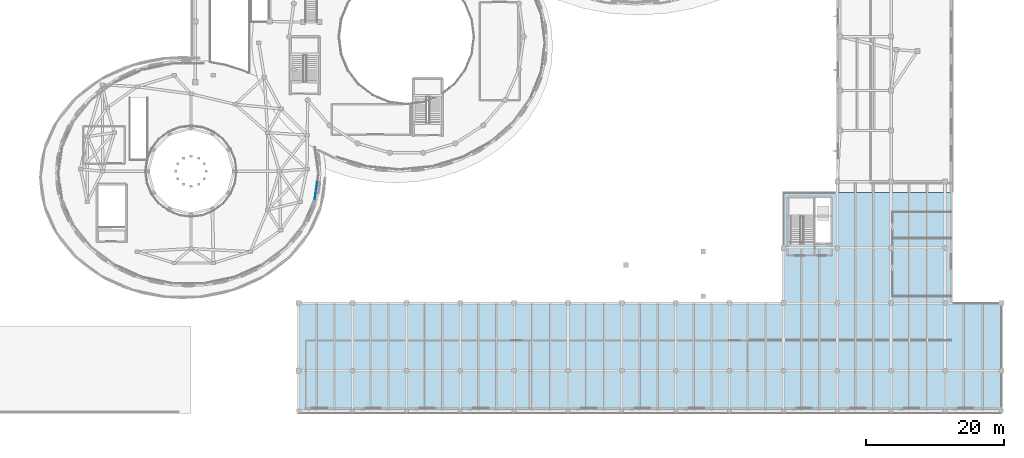
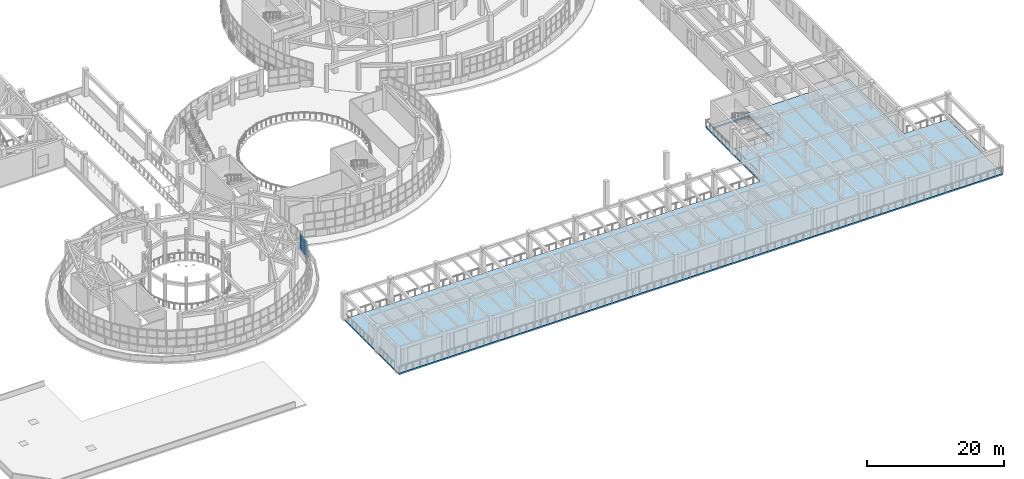
# One storey, part 58 of 98: 4 plates, 1 slab, 1 element without a shape of its own.
"""IFC4 building model written with IfcOpenShell, lengths in metres."""

from ifc_helpers import new_model, si_unit, direction, frame, origin, origin_2d, place, context, subcontext, project, spatial, polyline, rectangle, outline, extrude, material, layer, layer_set, type_object, element, aggregate, save


model = new_model("IFC4")

# Units and contexts
model_context = context("Model", 3, precision=1e-05, world=origin(), true_north=direction((0.0, 1.0)))
body_context = subcontext(model_context, "Body", "Model", "MODEL_VIEW")
ifc_project = project(units=[si_unit("LENGTHUNIT", "METRE"), si_unit("AREAUNIT", "SQUARE_METRE"), si_unit("VOLUMEUNIT", "CUBIC_METRE"), si_unit("PLANEANGLEUNIT", "RADIAN"), si_unit("MASSUNIT", "GRAM", prefix="KILO")], contexts=[model_context])

# Site, building, storey
site_placement = place(None, origin())
site = spatial("IfcSite", under=ifc_project, at=site_placement, CompositionType="ELEMENT")
building_placement = place(site_placement, origin())
building = spatial("IfcBuilding", under=site, at=building_placement, Name="Pelvatis Terrace Science Centre", CompositionType="ELEMENT")
storey_placement = place(building_placement, frame((0.0, 0.0, 5.39990234375)))
storey = spatial("IfcBuildingStorey", under=building, at=storey_placement, Name="L01", CompositionType="ELEMENT", Elevation=5.39990234375)

# Curtain wall, plates
ifc_material_1 = material(Name="Bronze-anodised aluminium and laminated glass", Category="aluminium")
ifc_layer_1 = layer(ifc_material_1, 0.179931640625)
ifc_layer_set_1 = layer_set([ifc_layer_1], Name="Bronze-anodised aluminium and laminated glass")
curtain_wall_type = type_object("IfcCurtainWallType", Name="CW-RIBBON-A", PredefinedType="NOTDEFINED", material=ifc_layer_set_1)
curtain_wall_placement = place(storey_placement, origin())
curtain_wall = element("IfcCurtainWall", 1, at=curtain_wall_placement, inside=storey, type_object=curtain_wall_type, Name="Ribbon curtain wall CW-042 (L01)", PredefinedType="NOTDEFINED")
ifc_material_2 = material(Name="Low-e laminated solar-control double glazing", Category="glass")
ifc_layer_2 = layer(ifc_material_2, 0.031982421875)
ifc_layer_set_2 = layer_set([ifc_layer_2], Name="Low-e laminated solar-control double glazing")
plate_type = type_object("IfcPlateType", Name="CWP-IGU-32", PredefinedType="CURTAIN_PANEL", material=ifc_layer_set_2)
plate_1_placement = place(storey_placement, frame((64.795654296875, 31.614013671875, 1.080078125), z_axis=(0.0, 0.0, 1.0), x_axis=(0.141165156196, 0.989986059839, 0.0)))
plate_1 = element("IfcPlate", 2, at=plate_1_placement, type_object=plate_type, Name="CW-042 panel 1.1", PredefinedType="CURTAIN_PANEL", context=body_context, shape_type="SweptSolid", body=[
    extrude(rectangle(XDim=1.203369140625, YDim=0.031982421875, at=origin_2d()), origin(), (0.0, 0.0, 1.0), 1.330078125),
])
plate_2_placement = place(storey_placement, frame((64.795654296875, 31.614013671875, 2.469970703125), z_axis=(0.0, 0.0, 1.0), x_axis=(0.141165156196, 0.989986059839, 0.0)))
plate_2 = element("IfcPlate", 3, at=plate_2_placement, type_object=plate_type, Name="CW-042 panel 1.2", PredefinedType="CURTAIN_PANEL", context=body_context, shape_type="SweptSolid", body=[
    extrude(rectangle(XDim=1.203369140625, YDim=0.031982421875, at=origin_2d()), origin(), (0.0, 0.0, 1.0), 1.330078125),
])
plate_3_placement = place(storey_placement, frame((64.97607421875, 32.87939453125, 1.080078125), z_axis=(0.0, 0.0, 1.0), x_axis=(0.141165156196, 0.989986059839, 0.0)))
plate_3 = element("IfcPlate", 4, at=plate_3_placement, type_object=plate_type, Name="CW-042 panel 2.1", PredefinedType="CURTAIN_PANEL", context=body_context, shape_type="SweptSolid", body=[
    extrude(rectangle(XDim=1.2333984375, YDim=0.031982421875, at=origin_2d()), origin(), (0.0, 0.0, 1.0), 1.330078125),
])
plate_4_placement = place(storey_placement, frame((64.97607421875, 32.87939453125, 2.469970703125), z_axis=(0.0, 0.0, 1.0), x_axis=(0.141165156196, 0.989986059839, 0.0)))
plate_4 = element("IfcPlate", 5, at=plate_4_placement, type_object=plate_type, Name="CW-042 panel 2.2", PredefinedType="CURTAIN_PANEL", context=body_context, shape_type="SweptSolid", body=[
    extrude(rectangle(XDim=1.2333984375, YDim=0.031982421875, at=origin_2d()), origin(), (0.0, 0.0, 1.0), 1.330078125),
])
aggregate(curtain_wall, [plate_1, plate_2, plate_3, plate_4])

# Slab
ifc_material_3 = material(Name="Concrete C35/45", Category="concrete")
ifc_layer_3 = layer(ifc_material_3, 0.260009765625)
ifc_layer_set_3 = layer_set([ifc_layer_3], Name="Concrete C35/45")
slab_type = type_object("IfcSlabType", Name="SLB-FLR-260", PredefinedType="FLOOR", material=ifc_layer_set_3)
slab_placement = place(storey_placement, frame((0.0, 0.0, -0.260009765625)))
element("IfcSlab", 6, at=slab_placement, inside=storey, type_object=slab_type, Name="L01 Wet biology and chemistry laboratories slab", PredefinedType="FLOOR", context=body_context, shape_type="SweptSolid", body=[
    extrude(outline(polyline([(132.60009765625, 16.0), (132.60009765625, 32.0), (156.800048828125, 32.0), (156.800048828125, 16.0), (164.199951171875, 16.0), (164.199951171875, 0.0), (62.39990234375, 0.0), (62.39990234375, 16.0), (132.60009765625, 16.0)]), holes=[polyline([(135.280029296875, 25.02001953125), (135.280029296875, 24.52001953125), (139.47998046875, 24.52001953125), (139.47998046875, 31.280029296875), (133.320068359375, 31.280029296875), (133.320068359375, 25.02001953125), (135.280029296875, 25.02001953125)])]), origin(), (0.0, 0.0, 1.0), 0.260009765625),
])

save(model, "model.ifc")
